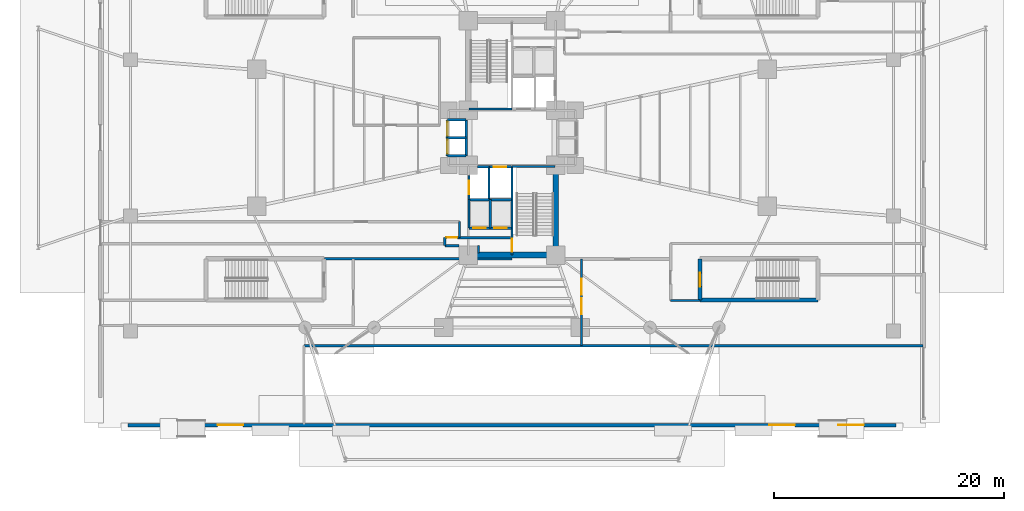
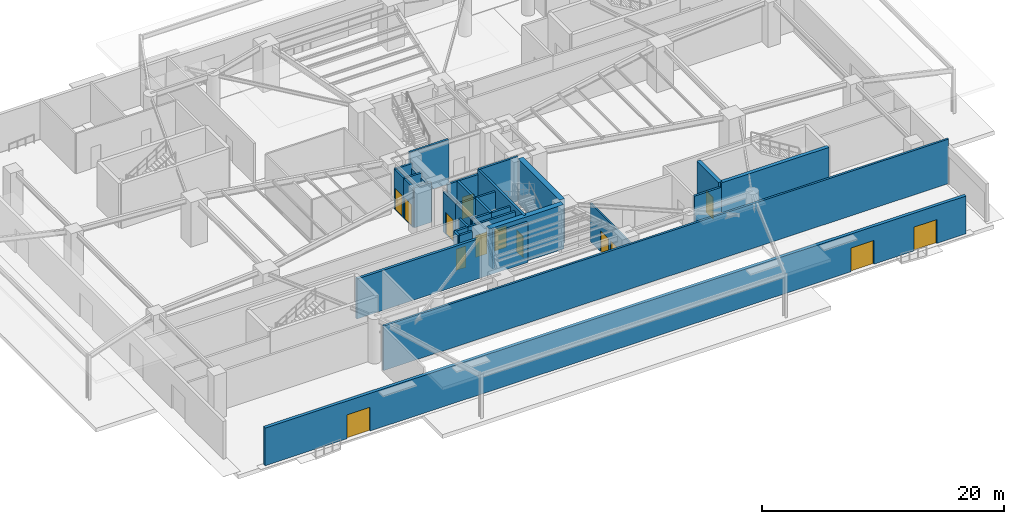
# One storey, part 17 of 31: 33 walls, 14 doors, 14 openings.
"""IFC4 building model written with IfcOpenShell, lengths in metres."""

from ifc_helpers import new_model, si_unit, direction, frame, frame_2d, origin, origin_2d, place, context, subcontext, project, spatial, rectangle, extrude, source, transform, mapped, material, layer, layer_set, type_object, element, fill, save


model = new_model("IFC4")

# Units and contexts
model_context = context("Model", 3, precision=1e-05, world=origin(), true_north=direction((0.0, 1.0)))
body_context = subcontext(model_context, "Body", "Model", "MODEL_VIEW")
ifc_project = project(units=[si_unit("LENGTHUNIT", "METRE"), si_unit("AREAUNIT", "SQUARE_METRE"), si_unit("VOLUMEUNIT", "CUBIC_METRE"), si_unit("PLANEANGLEUNIT", "RADIAN"), si_unit("MASSUNIT", "GRAM", prefix="KILO")], contexts=[model_context])

# Site, building, storey
site_placement = place(None, origin())
site = spatial("IfcSite", under=ifc_project, at=site_placement, CompositionType="ELEMENT")
building_placement = place(site_placement, origin())
building = spatial("IfcBuilding", under=site, at=building_placement, Name="Sahyath Konkavel Grand Hotel", CompositionType="ELEMENT")
storey_placement = place(building_placement, origin())
storey = spatial("IfcBuildingStorey", under=building, at=storey_placement, Name="L00", CompositionType="ELEMENT", Elevation=0.0)

# Wall
ifc_material_1 = material(Name="Concrete C40/50", Category="concrete")
ifc_layer_1 = layer(ifc_material_1, 0.35009765625)
ifc_layer_set_1 = layer_set([ifc_layer_1], Name="Concrete C40/50")
wall_type_1 = type_object("IfcWallType", Name="CWALL-350", PredefinedType="SHEAR", material=ifc_layer_set_1)
wall_1_placement = place(storey_placement, frame((16.35009765625, -14.10009765625, 0.0), z_axis=(0.0, 0.0, 1.0), x_axis=(1.0, 0.0, 0.0)))
element("IfcWall", 1, at=wall_1_placement, inside=storey, type_object=wall_type_1, Name="L00 Partition ST-P4-S", PredefinedType="SHEAR", context=body_context, shape_type="SweptSolid", body=[
    extrude(rectangle(XDim=10.25, YDim=0.35009765625, at=frame_2d((5.125, 0.0))), origin(), (0.0, 0.0, 1.0), 4.47998046875),
])

# Wall, opening, door
wall_2_placement = place(storey_placement, frame((16.35009765625, -14.10009765625, 0.0), z_axis=(0.0, 0.0, 1.0), x_axis=(0.0, 1.0, 0.0)))
wall_2 = element("IfcWall", 2, at=wall_2_placement, inside=storey, type_object=wall_type_1, Name="L00 Partition ST-P4-W", PredefinedType="SHEAR", context=body_context, shape_type="SweptSolid", body=[
    extrude(rectangle(XDim=3.580078125, YDim=0.35009765625, at=frame_2d((1.7900390625, 0.0))), origin(), (0.0, 0.0, 1.0), 4.47998046875),
])
opening_1_placement = place(wall_2_placement, frame((1.14990234375, 0.0, 0.0)))
opening_1 = element("IfcOpeningElement", 3, at=opening_1_placement, cuts=wall_2, Name="Opening D-F12A", PredefinedType="OPENING", context=body_context, shape_type="SweptSolid", body=[
    extrude(rectangle(XDim=1.199951171875, YDim=2.199951171875, at=frame_2d((0.60009765625, 1.10009765625))), frame((0.0, 0.18505859375, 0.0), z_axis=(0.0, -1.0, 0.0), x_axis=(1.0, 0.0, 0.0)), (0.0, 0.0, 1.0), 0.3701171875),
])
ifc_material_2 = material(Name="Steel E350 Fire Door", Category="steel")
door_type_1 = type_object("IfcDoorType", Name="DR-FD120-1200", OperationType="NOTDEFINED", PredefinedType="DOOR", material=ifc_material_2)
shared_shape_1 = source(origin(), body_context, "Body", "SweptSolid", [
    extrude(rectangle(XDim=1.199951171875, YDim=0.050048828125, at=origin_2d()), origin(), (0.0, 0.0, 1.0), 2.199951171875),
])
door_1_placement = place(opening_1_placement, frame((0.60009765625, 0.0, 0.0)))
door_1 = element("IfcDoor", 4, at=door_1_placement, inside=storey, type_object=door_type_1, Name="L00 ST-P4 Fire Door", OperationType="SINGLE_SWING_LEFT", OverallHeight=2.199951171875, OverallWidth=1.199951171875, PredefinedType="DOOR", context=body_context, shape_type="MappedRepresentation", body=[
    mapped(shared_shape_1, transform((0.0, 0.0, 0.0), scale=1.0)),
])
fill(opening_1, door_1)

# Walls
ifc_material_3 = material(Name="Concrete C70/85", Category="concrete")
ifc_layer_2 = layer(ifc_material_3, 0.5)
ifc_layer_set_2 = layer_set([ifc_layer_2], Name="Concrete C70/85")
wall_type_2 = type_object("IfcWallType", Name="CWALL-500", PredefinedType="SHEAR", material=ifc_layer_set_2)
wall_3_placement = place(storey_placement, frame((-3.550048828125, -10.199951171875, 0.0), z_axis=(0.0, 0.0, 1.0), x_axis=(1.0, 0.0, 0.0)))
element("IfcWall", 5, at=wall_3_placement, inside=storey, type_object=wall_type_2, Name="L00 South Core Shear Wall S", PredefinedType="SHEAR", context=body_context, shape_type="SweptSolid", body=[
    extrude(rectangle(XDim=7.10009765625, YDim=0.5, at=frame_2d((3.550048828125, 0.0))), origin(), (0.0, 0.0, 1.0), 4.47998046875),
])
wall_4_placement = place(storey_placement, frame((3.800048828125, -9.75, 0.0), z_axis=(0.0, 0.0, 1.0), x_axis=(0.0, 1.0, 0.0)))
element("IfcWall", 6, at=wall_4_placement, inside=storey, type_object=wall_type_2, Name="L00 South Core Shear Wall E", PredefinedType="SHEAR", context=body_context, shape_type="SweptSolid", body=[
    extrude(rectangle(XDim=6.89990234375, YDim=0.5, at=frame_2d((3.449951171875, 0.0))), origin(), (0.0, 0.0, 1.0), 4.47998046875),
])
ifc_layer_3 = layer(ifc_material_1, 0.199951171875)
ifc_layer_set_3 = layer_set([ifc_layer_3], Name="Concrete C40/50")
wall_type_3 = type_object("IfcWallType", Name="WLL-CORE-200", PredefinedType="SOLIDWALL", material=ifc_layer_set_3)
wall_5_placement = place(storey_placement, frame((-3.719970703125, 2.5, 0.0), z_axis=(0.0, 0.0, 1.0), x_axis=(1.0, 0.0, 0.0)))
element("IfcWall", 7, at=wall_5_placement, inside=storey, type_object=wall_type_3, Name="L00 Stair ST-1 Shaft Wall S", PredefinedType="SOLIDWALL", context=body_context, shape_type="SweptSolid", body=[
    extrude(rectangle(XDim=3.719970703125, YDim=0.199951171875, at=frame_2d((1.85986328125, 0.0))), origin(), (0.0, 0.0, 1.0), 4.47998046875),
])

# Wall, opening, door
wall_6_placement = place(storey_placement, frame((0.0, -10.179931640625, 0.0), z_axis=(0.0, 0.0, 1.0), x_axis=(0.0, 1.0, 0.0)))
wall_6 = element("IfcWall", 8, at=wall_6_placement, inside=storey, type_object=wall_type_3, Name="L00 Stair ST-2 Shaft Wall W", PredefinedType="SOLIDWALL", context=body_context, shape_type="SweptSolid", body=[
    extrude(rectangle(XDim=7.679931640625, YDim=0.199951171875, at=frame_2d((3.83984375, 0.0))), origin(), (0.0, 0.0, 1.0), 4.47998046875),
])
opening_2_placement = place(wall_6_placement, frame((0.280029296875, 0.0, 0.0)))
opening_2 = element("IfcOpeningElement", 9, at=opening_2_placement, cuts=wall_6, Name="Opening D-F12B", PredefinedType="OPENING", context=body_context, shape_type="SweptSolid", body=[
    extrude(rectangle(XDim=1.10009765625, YDim=2.14990234375, at=frame_2d((0.550048828125, 1.074951171875))), frame((0.0, 0.10986328125, 0.0), z_axis=(0.0, -1.0, 0.0), x_axis=(1.0, 0.0, 0.0)), (0.0, 0.0, 1.0), 0.219970703125),
])
ifc_material_4 = material(Name="Steel E350 Smokeproof Fire Door", Category="steel")
door_type_2 = type_object("IfcDoorType", Name="DR-FD120-1100", OperationType="NOTDEFINED", PredefinedType="DOOR", material=ifc_material_4)
shared_shape_2 = source(origin(), body_context, "Body", "SweptSolid", [
    extrude(rectangle(XDim=1.10009765625, YDim=0.050048828125, at=origin_2d()), origin(), (0.0, 0.0, 1.0), 2.14990234375),
])
door_2_placement = place(opening_2_placement, frame((0.550048828125, 0.0, 0.0)))
door_2 = element("IfcDoor", 10, at=door_2_placement, inside=storey, type_object=door_type_2, Name="L00 Stair ST-2 Fire Door", OperationType="SINGLE_SWING_RIGHT", OverallHeight=2.14990234375, OverallWidth=1.10009765625, PredefinedType="DOOR", context=body_context, shape_type="MappedRepresentation", body=[
    mapped(shared_shape_2, transform((0.0, 0.0, 0.0), scale=1.0)),
])
fill(opening_2, door_2)

# Walls
wall_7_placement = place(storey_placement, frame((0.0, -2.5, 0.0), z_axis=(0.0, 0.0, 1.0), x_axis=(1.0, 0.0, 0.0)))
element("IfcWall", 11, at=wall_7_placement, inside=storey, type_object=wall_type_3, Name="L00 Stair ST-2 Shaft Wall N", PredefinedType="SOLIDWALL", context=body_context, shape_type="SweptSolid", body=[
    extrude(rectangle(XDim=3.719970703125, YDim=0.199951171875, at=frame_2d((1.85986328125, 0.0))), origin(), (0.0, 0.0, 1.0), 4.47998046875),
])
wall_8_placement = place(storey_placement, frame((-2.0, -5.280029296875, 0.0), z_axis=(0.0, 0.0, 1.0), x_axis=(0.0, 1.0, 0.0)))
element("IfcWall", 12, at=wall_8_placement, inside=storey, type_object=wall_type_3, Name="L00 Partition SH-FFL2-W", PredefinedType="SOLIDWALL", context=body_context, shape_type="SweptSolid", body=[
    extrude(rectangle(XDim=2.780029296875, YDim=0.199951171875, at=frame_2d((1.39013671875, 0.0))), origin(), (0.0, 0.0, 1.0), 4.030029296875),
])

# Wall, opening, door
wall_9_placement = place(storey_placement, frame((-2.0, -2.52001953125, 0.0), z_axis=(0.0, 0.0, 1.0), x_axis=(1.0, 0.0, 0.0)))
wall_9 = element("IfcWall", 13, at=wall_9_placement, inside=storey, type_object=wall_type_3, Name="L00 Partition SH-FFL2-N", PredefinedType="SOLIDWALL", context=body_context, shape_type="SweptSolid", body=[
    extrude(rectangle(XDim=1.949951171875, YDim=0.199951171875, at=frame_2d((0.97509765625, 0.0))), origin(), (0.0, 0.0, 1.0), 4.030029296875),
])
opening_3_placement = place(wall_9_placement, frame((0.419921875, 0.0, 0.0)))
opening_3 = element("IfcOpeningElement", 14, at=opening_3_placement, cuts=wall_9, Name="Opening LD-11", PredefinedType="OPENING", context=body_context, shape_type="SweptSolid", body=[
    extrude(rectangle(XDim=1.10009765625, YDim=2.199951171875, at=frame_2d((0.550048828125, 1.10009765625))), frame((0.0, 0.10986328125, 0.0), z_axis=(0.0, -1.0, 0.0), x_axis=(1.0, 0.0, 0.0)), (0.0, 0.0, 1.0), 0.219970703125),
])
ifc_material_5 = material(Name="Bronze Lift Landing Door 1100")
door_type_3 = type_object("IfcDoorType", Name="DR-LIFT-1100", OperationType="DOUBLE_DOOR_SLIDING", PredefinedType="DOOR", material=ifc_material_5)
shared_shape_3 = source(origin(), body_context, "Body", "SweptSolid", [
    extrude(rectangle(XDim=1.10009765625, YDim=0.050048828125, at=origin_2d()), origin(), (0.0, 0.0, 1.0), 2.199951171875),
])
door_3_placement = place(opening_3_placement, frame((0.550048828125, 0.0, 0.0)))
door_3 = element("IfcDoor", 15, at=door_3_placement, inside=storey, type_object=door_type_3, Name="L00 Lift FFL-2 Landing Door", OperationType="DOUBLE_DOOR_SLIDING", OverallHeight=2.199951171875, OverallWidth=1.10009765625, PredefinedType="DOOR", context=body_context, shape_type="MappedRepresentation", body=[
    mapped(shared_shape_3, transform((0.0, 0.0, 0.0), scale=1.0)),
])
fill(opening_3, door_3)

# Wall
wall_10_placement = place(storey_placement, frame((-3.0, -2.52001953125, 0.0), z_axis=(0.0, 0.0, 1.0), x_axis=(1.0, 0.0, 0.0)))
element("IfcWall", 16, at=wall_10_placement, inside=storey, type_object=wall_type_3, Name="L00 Partition SH-SVL2-N", PredefinedType="SOLIDWALL", context=body_context, shape_type="SweptSolid", body=[
    extrude(rectangle(XDim=1.0, YDim=0.199951171875, at=frame_2d((0.5, 0.0))), origin(), (0.0, 0.0, 1.0), 4.030029296875),
])

# Wall, opening, door
wall_11_placement = place(storey_placement, frame((-3.739990234375, -5.360107421875, 0.0), z_axis=(0.0, 0.0, 1.0), x_axis=(0.0, 1.0, 0.0)))
wall_11 = element("IfcWall", 17, at=wall_11_placement, inside=storey, type_object=wall_type_3, Name="L00 Partition SH-SVL2-W", PredefinedType="SOLIDWALL", context=body_context, shape_type="SweptSolid", body=[
    extrude(rectangle(XDim=2.080078125, YDim=0.199951171875, at=frame_2d((1.0400390625, 0.0))), origin(), (0.0, 0.0, 1.0), 4.030029296875),
])
opening_4_placement = place(wall_11_placement, frame((0.43994140625, 0.0, 0.0)))
opening_4 = element("IfcOpeningElement", 18, at=opening_4_placement, cuts=wall_11, Name="Opening LD-12", PredefinedType="OPENING", context=body_context, shape_type="SweptSolid", body=[
    extrude(rectangle(XDim=1.199951171875, YDim=2.199951171875, at=frame_2d((0.60009765625, 1.10009765625))), frame((0.0, 0.10986328125, 0.0), z_axis=(0.0, -1.0, 0.0), x_axis=(1.0, 0.0, 0.0)), (0.0, 0.0, 1.0), 0.219970703125),
])
ifc_material_6 = material(Name="Stainless Steel Lift Landing Door 1200", Category="steel")
door_type_4 = type_object("IfcDoorType", Name="DR-LIFT-1200", OperationType="DOUBLE_DOOR_SLIDING", PredefinedType="DOOR", material=ifc_material_6)
door_4_placement = place(opening_4_placement, frame((0.60009765625, 0.0, 0.0)))
door_4 = element("IfcDoor", 19, at=door_4_placement, inside=storey, type_object=door_type_4, Name="L00 Service Lift SVL-2 Landing Door", OperationType="DOUBLE_DOOR_SLIDING", OverallHeight=2.199951171875, OverallWidth=1.199951171875, PredefinedType="DOOR", context=body_context, shape_type="MappedRepresentation", body=[
    mapped(shared_shape_1, transform((0.0, 0.0, 0.0), scale=1.0)),
])
fill(opening_4, door_4)

# Wall
wall_12_placement = place(storey_placement, frame((-3.739990234375, -7.860107421875, 0.0), z_axis=(0.0, 0.0, 1.0), x_axis=(0.0, 1.0, 0.0)))
element("IfcWall", 20, at=wall_12_placement, inside=storey, type_object=wall_type_3, Name="L00 Partition SH-PL3-W", PredefinedType="SOLIDWALL", context=body_context, shape_type="SweptSolid", body=[
    extrude(rectangle(XDim=2.480224609375, YDim=0.199951171875, at=frame_2d((1.240234375, 0.0))), origin(), (0.0, 0.0, 1.0), 4.030029296875),
])

# Wall, opening, door
wall_13_placement = place(storey_placement, frame((-3.739990234375, -7.860107421875, 0.0), z_axis=(0.0, 0.0, 1.0), x_axis=(1.0, 0.0, 0.0)))
wall_13 = element("IfcWall", 21, at=wall_13_placement, inside=storey, type_object=wall_type_3, Name="L00 Partition SH-PL3-S", PredefinedType="SOLIDWALL", context=body_context, shape_type="SweptSolid", body=[
    extrude(rectangle(XDim=1.840087890625, YDim=0.199951171875, at=frame_2d((0.919921875, 0.0))), origin(), (0.0, 0.0, 1.0), 4.030029296875),
])
opening_5_placement = place(wall_13_placement, frame((0.360107421875, 0.0, 0.0)))
opening_5 = element("IfcOpeningElement", 22, at=opening_5_placement, cuts=wall_13, Name="Opening LD-11", PredefinedType="OPENING", context=body_context, shape_type="SweptSolid", body=[
    extrude(rectangle(XDim=1.10009765625, YDim=2.199951171875, at=frame_2d((0.550048828125, 1.10009765625))), frame((0.0, 0.10986328125, 0.0), z_axis=(0.0, -1.0, 0.0), x_axis=(1.0, 0.0, 0.0)), (0.0, 0.0, 1.0), 0.219970703125),
])
door_5_placement = place(opening_5_placement, frame((0.550048828125, 0.0, 0.0)))
door_5 = element("IfcDoor", 23, at=door_5_placement, inside=storey, type_object=door_type_3, Name="L00 Passenger Lift PL-3 Landing Door", OperationType="DOUBLE_DOOR_SLIDING", OverallHeight=2.199951171875, OverallWidth=1.10009765625, PredefinedType="DOOR", context=body_context, shape_type="MappedRepresentation", body=[
    mapped(shared_shape_3, transform((0.0, 0.0, 0.0), scale=1.0)),
])
fill(opening_5, door_5)

# Walls
wall_14_placement = place(storey_placement, frame((-3.739990234375, -5.3798828125, 0.0), z_axis=(0.0, 0.0, 1.0), x_axis=(1.0, 0.0, 0.0)))
element("IfcWall", 24, at=wall_14_placement, inside=storey, type_object=wall_type_3, Name="L00 Partition SH-PL34-N", PredefinedType="SOLIDWALL", context=body_context, shape_type="SweptSolid", body=[
    extrude(rectangle(XDim=3.68994140625, YDim=0.199951171875, at=frame_2d((1.844970703125, 0.0))), origin(), (0.0, 0.0, 1.0), 4.030029296875),
])
wall_15_placement = place(storey_placement, frame((-1.89990234375, -7.860107421875, 0.0), z_axis=(0.0, 0.0, 1.0), x_axis=(0.0, 1.0, 0.0)))
element("IfcWall", 25, at=wall_15_placement, inside=storey, type_object=wall_type_3, Name="L00 Partition SH-PL34-M", PredefinedType="SOLIDWALL", context=body_context, shape_type="SweptSolid", body=[
    extrude(rectangle(XDim=2.480224609375, YDim=0.199951171875, at=frame_2d((1.240234375, 0.0))), origin(), (0.0, 0.0, 1.0), 4.030029296875),
])

# Wall, opening, door
wall_16_placement = place(storey_placement, frame((-1.89990234375, -7.860107421875, 0.0), z_axis=(0.0, 0.0, 1.0), x_axis=(1.0, 0.0, 0.0)))
wall_16 = element("IfcWall", 26, at=wall_16_placement, inside=storey, type_object=wall_type_3, Name="L00 Partition SH-PL4-S", PredefinedType="SOLIDWALL", context=body_context, shape_type="SweptSolid", body=[
    extrude(rectangle(XDim=1.849853515625, YDim=0.199951171875, at=frame_2d((0.9248046875, 0.0))), origin(), (0.0, 0.0, 1.0), 4.030029296875),
])
opening_6_placement = place(wall_16_placement, frame((0.360107421875, 0.0, 0.0)))
opening_6 = element("IfcOpeningElement", 27, at=opening_6_placement, cuts=wall_16, Name="Opening LD-11", PredefinedType="OPENING", context=body_context, shape_type="SweptSolid", body=[
    extrude(rectangle(XDim=1.10009765625, YDim=2.199951171875, at=frame_2d((0.550048828125, 1.10009765625))), frame((0.0, 0.10986328125, 0.0), z_axis=(0.0, -1.0, 0.0), x_axis=(1.0, 0.0, 0.0)), (0.0, 0.0, 1.0), 0.219970703125),
])
door_6_placement = place(opening_6_placement, frame((0.550048828125, 0.0, 0.0)))
door_6 = element("IfcDoor", 28, at=door_6_placement, inside=storey, type_object=door_type_3, Name="L00 Passenger Lift PL-4 Landing Door", OperationType="DOUBLE_DOOR_SLIDING", OverallHeight=2.199951171875, OverallWidth=1.10009765625, PredefinedType="DOOR", context=body_context, shape_type="MappedRepresentation", body=[
    mapped(shared_shape_3, transform((0.0, 0.0, 0.0), scale=1.0)),
])
fill(opening_6, door_6)

# Walls
wall_17_placement = place(storey_placement, frame((-3.97998046875, -1.56005859375, 0.0), z_axis=(0.0, 0.0, 1.0), x_axis=(0.0, 1.0, 0.0)))
element("IfcWall", 29, at=wall_17_placement, inside=storey, type_object=wall_type_3, Name="L00 Partition SH-SL12-E", PredefinedType="SOLIDWALL", context=body_context, shape_type="SweptSolid", body=[
    extrude(rectangle(XDim=3.1201171875, YDim=0.199951171875, at=frame_2d((1.56005859375, 0.0))), origin(), (0.0, 0.0, 1.0), 3.550048828125),
])
for number, where, z_axis, x_axis, name in (
    (30, (-5.6201171875, 1.56005859375, 0.0), (0.0, 0.0, 1.0), (1.0, 0.0, 0.0), "L00 Partition SH-SL12-N"),
    (31, (-5.6201171875, -1.56005859375, 0.0), (0.0, 0.0, 1.0), (1.0, 0.0, 0.0), "L00 Partition SH-SL12-S"),
    (32, (-5.6201171875, 0.0, 0.0), (0.0, 0.0, 1.0), (1.0, 0.0, 0.0), "L00 Partition SH-SL12-M"),
):
    element("IfcWall", number, at=place(storey_placement, frame(where, z_axis=z_axis, x_axis=x_axis)), inside=storey, type_object=wall_type_3, Name=name, PredefinedType="SOLIDWALL", context=body_context, shape_type="SweptSolid", body=[
        extrude(rectangle(XDim=1.64013671875, YDim=0.199951171875, at=frame_2d((0.820068359375, 0.0))), origin(), (0.0, 0.0, 1.0), 4.030029296875),
    ])

# Wall, opening, door
wall_18_placement = place(storey_placement, frame((-5.6201171875, 0.0, 0.0), z_axis=(0.0, 0.0, 1.0), x_axis=(0.0, 1.0, 0.0)))
wall_18 = element("IfcWall", 33, at=wall_18_placement, inside=storey, type_object=wall_type_3, Name="L00 Partition SH-SL1-W", PredefinedType="SOLIDWALL", context=body_context, shape_type="SweptSolid", body=[
    extrude(rectangle(XDim=1.56005859375, YDim=0.199951171875, at=frame_2d((0.780029296875, 0.0))), origin(), (0.0, 0.0, 1.0), 4.030029296875),
])
opening_7_placement = place(wall_18_placement, frame((0.179931640625, 0.0, 0.0)))
opening_7 = element("IfcOpeningElement", 34, at=opening_7_placement, cuts=wall_18, Name="Opening LD-12", PredefinedType="OPENING", context=body_context, shape_type="SweptSolid", body=[
    extrude(rectangle(XDim=1.199951171875, YDim=2.199951171875, at=frame_2d((0.60009765625, 1.10009765625))), frame((0.0, 0.10986328125, 0.0), z_axis=(0.0, -1.0, 0.0), x_axis=(1.0, 0.0, 0.0)), (0.0, 0.0, 1.0), 0.219970703125),
])
door_7_placement = place(opening_7_placement, frame((0.60009765625, 0.0, 0.0)))
door_7 = element("IfcDoor", 35, at=door_7_placement, inside=storey, type_object=door_type_4, Name="L00 Express Shuttle SL-1 Landing Door", OperationType="DOUBLE_DOOR_SLIDING", OverallHeight=2.199951171875, OverallWidth=1.199951171875, PredefinedType="DOOR", context=body_context, shape_type="MappedRepresentation", body=[
    mapped(shared_shape_1, transform((0.0, 0.0, 0.0), scale=1.0)),
])
fill(opening_7, door_7)

wall_19_placement = place(storey_placement, frame((-5.6201171875, -1.56005859375, 0.0), z_axis=(0.0, 0.0, 1.0), x_axis=(0.0, 1.0, 0.0)))
wall_19 = element("IfcWall", 36, at=wall_19_placement, inside=storey, type_object=wall_type_3, Name="L00 Partition SH-SL2-W", PredefinedType="SOLIDWALL", context=body_context, shape_type="SweptSolid", body=[
    extrude(rectangle(XDim=1.56005859375, YDim=0.199951171875, at=frame_2d((0.780029296875, 0.0))), origin(), (0.0, 0.0, 1.0), 4.030029296875),
])
opening_8_placement = place(wall_19_placement, frame((0.179931640625, 0.0, 0.0)))
opening_8 = element("IfcOpeningElement", 37, at=opening_8_placement, cuts=wall_19, Name="Opening LD-12", PredefinedType="OPENING", context=body_context, shape_type="SweptSolid", body=[
    extrude(rectangle(XDim=1.199951171875, YDim=2.199951171875, at=frame_2d((0.60009765625, 1.10009765625))), frame((0.0, 0.10986328125, 0.0), z_axis=(0.0, -1.0, 0.0), x_axis=(1.0, 0.0, 0.0)), (0.0, 0.0, 1.0), 0.219970703125),
])
door_8_placement = place(opening_8_placement, frame((0.60009765625, 0.0, 0.0)))
door_8 = element("IfcDoor", 38, at=door_8_placement, inside=storey, type_object=door_type_4, Name="L00 Express Shuttle SL-2 Landing Door", OperationType="DOUBLE_DOOR_SLIDING", OverallHeight=2.199951171875, OverallWidth=1.199951171875, PredefinedType="DOOR", context=body_context, shape_type="MappedRepresentation", body=[
    mapped(shared_shape_1, transform((0.0, 0.0, 0.0), scale=1.0)),
])
fill(opening_8, door_8)

# Walls
wall_20_placement = place(storey_placement, frame((-4.6201171875, -8.679931640625, 0.0), z_axis=(0.0, 0.0, 1.0), x_axis=(1.0, 0.0, 0.0)))
element("IfcWall", 39, at=wall_20_placement, inside=storey, type_object=wall_type_3, Name="L00 South FF Lobby Separation Wall", PredefinedType="SOLIDWALL", context=body_context, shape_type="SweptSolid", body=[
    extrude(rectangle(XDim=4.5, YDim=0.199951171875, at=frame_2d((2.25, 0.0))), origin(), (0.0, 0.0, 1.0), 4.030029296875),
])
wall_21_placement = place(storey_placement, frame((-2.919921875, -10.02001953125, 0.0), z_axis=(0.0, 0.0, 1.0), x_axis=(0.0, 1.0, 0.0)))
element("IfcWall", 40, at=wall_21_placement, inside=storey, type_object=wall_type_3, Name="L00 Partition SFF-W2", PredefinedType="SOLIDWALL", context=body_context, shape_type="SweptSolid", body=[
    extrude(rectangle(XDim=0.64013671875, YDim=0.199951171875, at=frame_2d((0.320068359375, 0.0))), origin(), (0.0, 0.0, 1.0), 4.030029296875),
])
wall_22_placement = place(storey_placement, frame((-5.840087890625, -9.3798828125, 0.0), z_axis=(0.0, 0.0, 1.0), x_axis=(1.0, 0.0, 0.0)))
element("IfcWall", 41, at=wall_22_placement, inside=storey, type_object=wall_type_3, Name="L00 Partition SFF-S3", PredefinedType="SOLIDWALL", context=body_context, shape_type="SweptSolid", body=[
    extrude(rectangle(XDim=1.219970703125, YDim=0.199951171875, at=frame_2d((0.60986328125, 0.0))), origin(), (0.0, 0.0, 1.0), 4.030029296875),
])
wall_23_placement = place(storey_placement, frame((-5.840087890625, -9.3798828125, 0.0), z_axis=(0.0, 0.0, 1.0), x_axis=(0.0, 1.0, 0.0)))
element("IfcWall", 42, at=wall_23_placement, inside=storey, type_object=wall_type_3, Name="L00 Partition SFF-W3", PredefinedType="SOLIDWALL", context=body_context, shape_type="SweptSolid", body=[
    extrude(rectangle(XDim=0.699951171875, YDim=0.199951171875, at=frame_2d((0.35009765625, 0.0))), origin(), (0.0, 0.0, 1.0), 4.030029296875),
])

# Wall, opening, door
wall_24_placement = place(storey_placement, frame((-5.840087890625, -8.679931640625, 0.0), z_axis=(0.0, 0.0, 1.0), x_axis=(1.0, 0.0, 0.0)))
wall_24 = element("IfcWall", 43, at=wall_24_placement, inside=storey, type_object=wall_type_3, Name="L00 South FF Lobby North Exit Wall", PredefinedType="SOLIDWALL", context=body_context, shape_type="SweptSolid", body=[
    extrude(rectangle(XDim=1.219970703125, YDim=0.199951171875, at=frame_2d((0.60986328125, 0.0))), origin(), (0.0, 0.0, 1.0), 4.030029296875),
])
opening_9_placement = place(wall_24_placement, frame((0.135009765625, 0.0, 0.0)))
opening_9 = element("IfcOpeningElement", 44, at=opening_9_placement, cuts=wall_24, Name="Opening D-F12C", PredefinedType="OPENING", context=body_context, shape_type="SweptSolid", body=[
    extrude(rectangle(XDim=0.949951171875, YDim=2.14990234375, at=frame_2d((0.47509765625, 1.074951171875))), frame((0.0, 0.10986328125, 0.0), z_axis=(0.0, -1.0, 0.0), x_axis=(1.0, 0.0, 0.0)), (0.0, 0.0, 1.0), 0.219970703125),
])
ifc_material_7 = material(Name="Steel E350 Plant Fire Door", Category="steel")
door_type_5 = type_object("IfcDoorType", Name="DR-FD120-950", OperationType="NOTDEFINED", PredefinedType="DOOR", material=ifc_material_7)
shared_shape_4 = source(origin(), body_context, "Body", "SweptSolid", [
    extrude(rectangle(XDim=0.949951171875, YDim=0.050048828125, at=origin_2d()), origin(), (0.0, 0.0, 1.0), 2.14990234375),
])
door_9_placement = place(opening_9_placement, frame((0.47509765625, 0.0, 0.0)))
door_9 = element("IfcDoor", 45, at=door_9_placement, inside=storey, type_object=door_type_5, Name="L00 South Firefighting Lobby Door", OperationType="SINGLE_SWING_RIGHT", OverallHeight=2.14990234375, OverallWidth=0.949951171875, PredefinedType="DOOR", context=body_context, shape_type="MappedRepresentation", body=[
    mapped(shared_shape_4, transform((0.0, 0.0, 0.0), scale=1.0)),
])
fill(opening_9, door_9)

# Walls
wall_25_placement = place(storey_placement, frame((-4.56005859375, -8.679931640625, 0.0), z_axis=(0.0, 0.0, 1.0), x_axis=(0.0, 1.0, 0.0)))
element("IfcWall", 46, at=wall_25_placement, inside=storey, type_object=wall_type_3, Name="L00 Partition L00-EXP-ST2E0", PredefinedType="SOLIDWALL", context=body_context, shape_type="SweptSolid", body=[
    extrude(rectangle(XDim=1.3798828125, YDim=0.199951171875, at=frame_2d((0.68994140625, 0.0))), origin(), (0.0, 0.0, 1.0), 4.030029296875),
])
wall_26_placement = place(storey_placement, frame((13.800048828125, -14.14990234375, 0.0), z_axis=(0.0, 0.0, 1.0), x_axis=(1.0, 0.0, 0.0)))
element("IfcWall", 47, at=wall_26_placement, inside=storey, type_object=wall_type_3, Name="L00 Partition L00-EXP4-S0", PredefinedType="SOLIDWALL", context=body_context, shape_type="SweptSolid", body=[
    extrude(rectangle(XDim=2.550048828125, YDim=0.199951171875, at=frame_2d((1.27490234375, 0.0))), origin(), (0.0, 0.0, 1.0), 4.030029296875),
])
wall_27_placement = place(storey_placement, frame((-18.10009765625, -18.080078125, 0.0), z_axis=(0.0, 0.0, 1.0), x_axis=(1.0, 0.0, 0.0)))
element("IfcWall", 48, at=wall_27_placement, inside=storey, type_object=wall_type_3, Name="L00 Partition L00-RMP-N", PredefinedType="SOLIDWALL", context=body_context, shape_type="SweptSolid", body=[
    extrude(rectangle(XDim=53.85009765625, YDim=0.199951171875, at=frame_2d((26.925048828125, 0.0))), origin(), (0.0, 0.0, 1.0), 4.47998046875),
])
ifc_layer_4 = layer(ifc_material_1, 0.25)
ifc_layer_set_4 = layer_set([ifc_layer_4], Name="Concrete C40/50")
wall_type_4 = type_object("IfcWallType", Name="WLL-FIRE-240", PredefinedType="SOLIDWALL", material=ifc_layer_set_4)
wall_28_placement = place(storey_placement, frame((-16.300048828125, -10.52001953125, 0.0), z_axis=(0.0, 0.0, 1.0), x_axis=(1.0, 0.0, 0.0)))
element("IfcWall", 49, at=wall_28_placement, inside=storey, type_object=wall_type_4, Name="L00 Partition L00-MBAR-WM", PredefinedType="SOLIDWALL", context=body_context, shape_type="SweptSolid", body=[
    extrude(rectangle(XDim=16.300048828125, YDim=0.25, at=frame_2d((8.14990234375, 0.0))), origin(), (0.0, 0.0, 1.0), 4.030029296875),
])

# Wall, openings, doors
ifc_material_8 = material(Name="Warm Buff Sandstone Insulated Concrete C40/50", Category="masonry")
ifc_layer_5 = layer(ifc_material_8, 0.300048828125)
ifc_layer_set_5 = layer_set([ifc_layer_5], Name="Warm Buff Sandstone Insulated Concrete C40/50")
wall_type_5 = type_object("IfcWallType", Name="WLL-L00-PORTAL", PredefinedType="STANDARD", material=ifc_layer_set_5)
wall_29_placement = place(storey_placement, frame((33.39990234375, -25.0, 0.0), z_axis=(0.0, 0.0, 1.0), x_axis=(-1.0, 0.0, 0.0)))
wall_29 = element("IfcWall", 50, at=wall_29_placement, inside=storey, type_object=wall_type_5, Name="L00 South Metro Concourse Portal Wall", PredefinedType="STANDARD", context=body_context, shape_type="SweptSolid", body=[
    extrude(rectangle(XDim=66.7998046875, YDim=0.300048828125, at=frame_2d((33.39990234375, 0.0))), origin(), (0.0, 0.0, 1.0), 3.800048828125),
])
opening_10_placement = place(wall_29_placement, frame((2.800048828125, 0.0, 0.0)))
opening_10 = element("IfcOpeningElement", 51, at=opening_10_placement, cuts=wall_29, Name="Opening D-EX22", PredefinedType="OPENING", context=body_context, shape_type="SweptSolid", body=[
    extrude(rectangle(XDim=2.199951171875, YDim=2.39990234375, at=frame_2d((1.10009765625, 1.199951171875))), frame((0.0, 0.16015625, 0.0), z_axis=(0.0, -1.0, 0.0), x_axis=(1.0, 0.0, 0.0)), (0.0, 0.0, 1.0), 0.320068359375),
])
opening_11_placement = place(wall_29_placement, frame((8.800048828125, 0.0, 0.0)))
opening_11 = element("IfcOpeningElement", 52, at=opening_11_placement, cuts=wall_29, Name="Opening D-EX22", PredefinedType="OPENING", context=body_context, shape_type="SweptSolid", body=[
    extrude(rectangle(XDim=2.199951171875, YDim=2.39990234375, at=frame_2d((1.10009765625, 1.199951171875))), frame((0.0, 0.16015625, 0.0), z_axis=(0.0, -1.0, 0.0), x_axis=(1.0, 0.0, 0.0)), (0.0, 0.0, 1.0), 0.320068359375),
])
opening_12_placement = place(wall_29_placement, frame((56.800048828125, 0.0, 0.0)))
opening_12 = element("IfcOpeningElement", 53, at=opening_12_placement, cuts=wall_29, Name="Opening D-EX22", PredefinedType="OPENING", context=body_context, shape_type="SweptSolid", body=[
    extrude(rectangle(XDim=2.199951171875, YDim=2.39990234375, at=frame_2d((1.10009765625, 1.199951171875))), frame((0.0, 0.16015625, 0.0), z_axis=(0.0, -1.0, 0.0), x_axis=(1.0, 0.0, 0.0)), (0.0, 0.0, 1.0), 0.320068359375),
])
ifc_material_9 = material(Name="Anodised Bronze Aluminium and Low-E Glazing", Category="aluminium")
door_type_6 = type_object("IfcDoorType", Name="DR-EXIT-2200", OperationType="NOTDEFINED", PredefinedType="DOOR", material=ifc_material_9)
shared_shape_5 = source(origin(), body_context, "Body", "SweptSolid", [
    extrude(rectangle(XDim=2.199951171875, YDim=0.050048828125, at=origin_2d()), origin(), (0.0, 0.0, 1.0), 2.39990234375),
])
door_10_placement = place(opening_10_placement, frame((1.10009765625, 0.0, 0.0)))
door_10 = element("IfcDoor", 54, at=door_10_placement, inside=storey, type_object=door_type_6, Name="L00 South Metro Concourse Pedestrian Exit Door S1", OperationType="DOUBLE_DOOR_SINGLE_SWING", OverallHeight=2.39990234375, OverallWidth=2.199951171875, PredefinedType="DOOR", context=body_context, shape_type="MappedRepresentation", body=[
    mapped(shared_shape_5, transform((0.0, 0.0, 0.0), scale=1.0)),
])
fill(opening_10, door_10)
door_11_placement = place(opening_11_placement, frame((1.10009765625, 0.0, 0.0)))
door_11 = element("IfcDoor", 55, at=door_11_placement, inside=storey, type_object=door_type_6, Name="L00 South Metro Concourse Pedestrian Exit Door S2", OperationType="DOUBLE_DOOR_SINGLE_SWING", OverallHeight=2.39990234375, OverallWidth=2.199951171875, PredefinedType="DOOR", context=body_context, shape_type="MappedRepresentation", body=[
    mapped(shared_shape_5, transform((0.0, 0.0, 0.0), scale=1.0)),
])
fill(opening_11, door_11)
door_12_placement = place(opening_12_placement, frame((1.10009765625, 0.0, 0.0)))
door_12 = element("IfcDoor", 56, at=door_12_placement, inside=storey, type_object=door_type_6, Name="L00 South Metro Concourse Pedestrian Exit Door S3", OperationType="DOUBLE_DOOR_SINGLE_SWING", OverallHeight=2.39990234375, OverallWidth=2.199951171875, PredefinedType="DOOR", context=body_context, shape_type="MappedRepresentation", body=[
    mapped(shared_shape_5, transform((0.0, 0.0, 0.0), scale=1.0)),
])
fill(opening_12, door_12)

ifc_material_10 = material(Name="Fire-Rated Gypsum Plasterboard Partition")
ifc_layer_6 = layer(ifc_material_10, 0.14990234375)
ifc_layer_set_6 = layer_set([ifc_layer_6], Name="Fire-Rated Gypsum Plasterboard Partition")
wall_type_6 = type_object("IfcWallType", Name="WLL-PART-150", PredefinedType="PARTITIONING", material=ifc_layer_set_6)
wall_30_placement = place(storey_placement, frame((6.050048828125, -18.050048828125, 0.0), z_axis=(0.0, 0.0, 1.0), x_axis=(0.0, 1.0, 0.0)))
wall_30 = element("IfcWall", 57, at=wall_30_placement, inside=storey, type_object=wall_type_6, Name="L00 Partition L00-MTK", PredefinedType="PARTITIONING", context=body_context, shape_type="SweptSolid", body=[
    extrude(rectangle(XDim=7.5, YDim=0.14990234375, at=frame_2d((3.75, 0.0))), origin(), (0.0, 0.0, 1.0), 3.85009765625),
])
opening_13_placement = place(wall_30_placement, frame((2.699951171875, 0.0, 0.0)))
opening_13 = element("IfcOpeningElement", 58, at=opening_13_placement, cuts=wall_30, Name="Opening D-GT14", PredefinedType="OPENING", context=body_context, shape_type="SweptSolid", body=[
    extrude(rectangle(XDim=1.39990234375, YDim=2.10009765625, at=frame_2d((0.699951171875, 1.050048828125))), frame((0.0, 0.0849609375, 0.0), z_axis=(0.0, -1.0, 0.0), x_axis=(1.0, 0.0, 0.0)), (0.0, 0.0, 1.0), 0.169921875),
])
opening_14_placement = place(wall_30_placement, frame((4.39990234375, 0.0, 0.0)))
opening_14 = element("IfcOpeningElement", 59, at=opening_14_placement, cuts=wall_30, Name="Opening D-GT14", PredefinedType="OPENING", context=body_context, shape_type="SweptSolid", body=[
    extrude(rectangle(XDim=1.39990234375, YDim=2.10009765625, at=frame_2d((0.699951171875, 1.050048828125))), frame((0.0, 0.0849609375, 0.0), z_axis=(0.0, -1.0, 0.0), x_axis=(1.0, 0.0, 0.0)), (0.0, 0.0, 1.0), 0.169921875),
])
ifc_material_11 = material(Name="Stainless Concourse Access Gate")
door_type_7 = type_object("IfcDoorType", Name="DR-GATE-1400", OperationType="DOUBLE_DOOR_SINGLE_SWING", PredefinedType="GATE", material=ifc_material_11)
shared_shape_6 = source(origin(), body_context, "Body", "SweptSolid", [
    extrude(rectangle(XDim=1.39990234375, YDim=0.050048828125, at=origin_2d()), origin(), (0.0, 0.0, 1.0), 2.10009765625),
])
door_13_placement = place(opening_13_placement, frame((0.699951171875, 0.0, 0.0)))
door_13 = element("IfcDoor", 60, at=door_13_placement, inside=storey, type_object=door_type_7, Name="L00 Door L00-MG1", OperationType="DOUBLE_DOOR_SINGLE_SWING", OverallHeight=2.10009765625, OverallWidth=1.39990234375, PredefinedType="GATE", context=body_context, shape_type="MappedRepresentation", body=[
    mapped(shared_shape_6, transform((0.0, 0.0, 0.0), scale=1.0)),
])
fill(opening_13, door_13)
door_14_placement = place(opening_14_placement, frame((0.699951171875, 0.0, 0.0)))
door_14 = element("IfcDoor", 61, at=door_14_placement, inside=storey, type_object=door_type_7, Name="L00 Door L00-MG2", OperationType="DOUBLE_DOOR_SINGLE_SWING", OverallHeight=2.10009765625, OverallWidth=1.39990234375, PredefinedType="GATE", context=body_context, shape_type="MappedRepresentation", body=[
    mapped(shared_shape_6, transform((0.0, 0.0, 0.0), scale=1.0)),
])
fill(opening_14, door_14)

save(model, "model.ifc")
